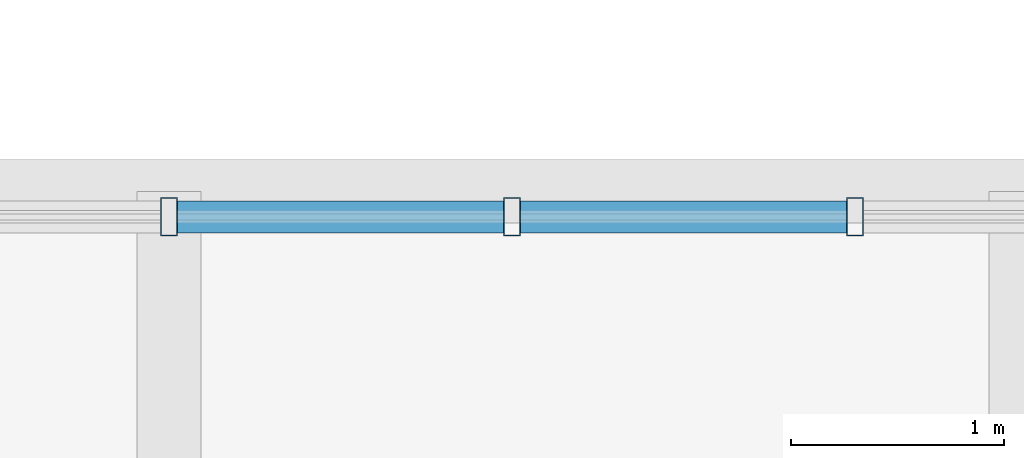
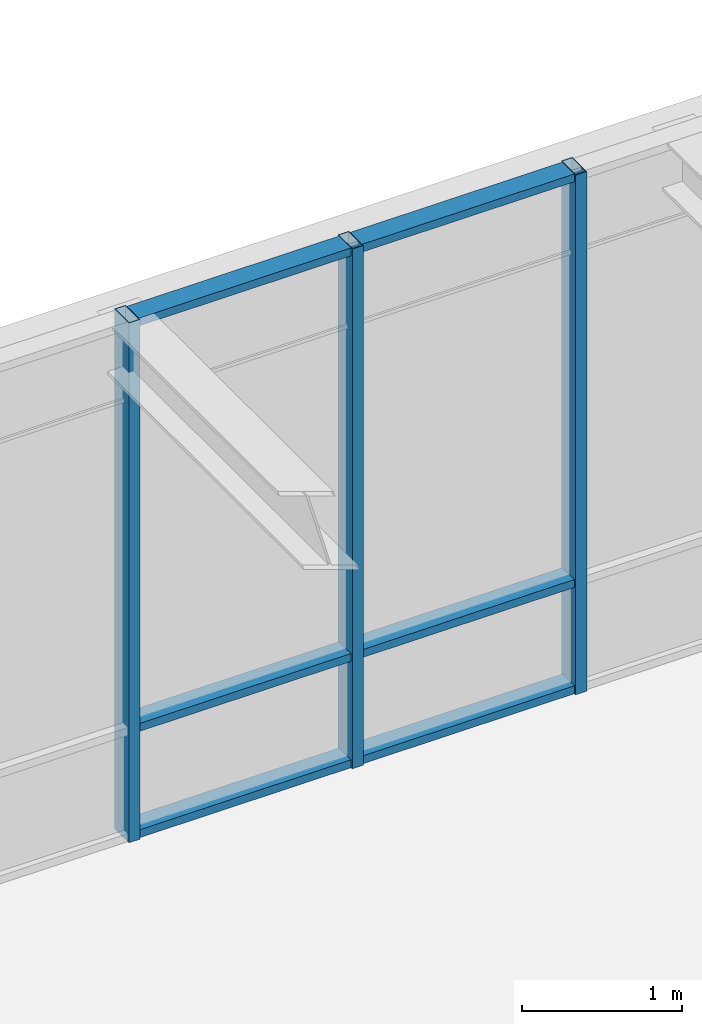
# One storey, part 58 of 127: 9 members, 1 element without a shape of its own.
"""IFC4 building model written with IfcOpenShell, lengths in metres."""

from ifc_helpers import new_model, si_unit, direction, frame, origin, origin_2d, place, context, subcontext, project, spatial, hollow_rectangle, extrude, material, layer, layer_set, material_profile, profile_set, type_object, element, aggregate, save


model = new_model("IFC4")

# Units and contexts
model_context = context("Model", 3, precision=1e-05, world=origin(), true_north=direction((0.0, 1.0)))
body_context = subcontext(model_context, "Body", "Model", "MODEL_VIEW")
ifc_project = project(units=[si_unit("LENGTHUNIT", "METRE"), si_unit("AREAUNIT", "SQUARE_METRE"), si_unit("VOLUMEUNIT", "CUBIC_METRE"), si_unit("PLANEANGLEUNIT", "RADIAN"), si_unit("MASSUNIT", "GRAM", prefix="KILO")], contexts=[model_context])

# Site, building, storey
site_placement = place(None, origin())
site = spatial("IfcSite", under=ifc_project, at=site_placement, CompositionType="ELEMENT")
building_placement = place(site_placement, origin())
building = spatial("IfcBuilding", under=site, at=building_placement, Name="Zayran Congress Hotel", CompositionType="ELEMENT")
storey_placement = place(building_placement, frame((0.0, 0.0, 10.800048828125)))
storey = spatial("IfcBuildingStorey", under=building, at=storey_placement, Name="L02", CompositionType="ELEMENT", Elevation=10.800048828125)

# Curtain wall, members
ifc_material_1 = material(Name="Anodised aluminium and low-E insulated glass", Category="aluminium")
ifc_layer = layer(ifc_material_1, 0.179931640625)
ifc_layer_set = layer_set([ifc_layer], Name="Anodised aluminium and low-E insulated glass")
curtain_wall_type = type_object("IfcCurtainWallType", Name="CW-BR1-L02-CW-BR1-16100-3960", PredefinedType="USERDEFINED", material=ifc_layer_set)
curtain_wall_placement = place(storey_placement, origin())
curtain_wall = element("IfcCurtainWall", 1, at=curtain_wall_placement, inside=storey, type_object=curtain_wall_type, Name="CW-BR1N-L02", ObjectType="CURTAIN WALL", PredefinedType="USERDEFINED")
ifc_material_2 = material(Name="Anodised aluminium framing", Category="aluminium")
ifc_material_profile_1 = material_profile(ifc_material_2, hollow_rectangle(XDim=0.080078125, YDim=0.179931640625, WallThickness=0.0048828125, at=origin_2d()), Name="RHS 180x80x5")
ifc_profile_set_1 = profile_set([ifc_material_profile_1], Name="Anodised aluminium framing")
member_type_1 = type_object("IfcMemberType", Name="TP-CWM-01", PredefinedType="MULLION", material=ifc_profile_set_1)
member_1_placement = place(storey_placement, frame((104.02001953125, 84.280029296875, 0.0), z_axis=(0.0, 0.0, 1.0), x_axis=(1.0, 0.0, 0.0)))
member_1 = element("IfcMember", 2, at=member_1_placement, type_object=member_type_1, Name="CW-BR1N-L02-M03", PredefinedType="MULLION", context=body_context, shape_type="SweptSolid", body=[
    extrude(hollow_rectangle(XDim=0.080078125, YDim=0.179931640625, WallThickness=0.0048828125, at=origin_2d()), origin(), (0.0, 0.0, 1.0), 3.9599609375),
])
member_2_placement = place(storey_placement, frame((102.409912109375, 84.280029296875, 0.0), z_axis=(0.0, 0.0, 1.0), x_axis=(1.0, 0.0, 0.0)))
member_2 = element("IfcMember", 3, at=member_2_placement, type_object=member_type_1, Name="CW-BR1N-L02-M04", PredefinedType="MULLION", context=body_context, shape_type="SweptSolid", body=[
    extrude(hollow_rectangle(XDim=0.080078125, YDim=0.179931640625, WallThickness=0.0048828125, at=origin_2d()), origin(), (0.0, 0.0, 1.0), 3.9599609375),
])
member_3_placement = place(storey_placement, frame((100.800048828125, 84.280029296875, 0.0), z_axis=(0.0, 0.0, 1.0), x_axis=(1.0, 0.0, 0.0)))
member_3 = element("IfcMember", 4, at=member_3_placement, type_object=member_type_1, Name="CW-BR1N-L02-M05", PredefinedType="MULLION", context=body_context, shape_type="SweptSolid", body=[
    extrude(hollow_rectangle(XDim=0.080078125, YDim=0.179931640625, WallThickness=0.0048828125, at=origin_2d()), origin(), (0.0, 0.0, 1.0), 3.9599609375),
])
ifc_material_profile_2 = material_profile(ifc_material_2, hollow_rectangle(XDim=0.06005859375, YDim=0.14990234375, WallThickness=0.00390625, at=origin_2d()), Name="RHS 150x60x4")
ifc_profile_set_2 = profile_set([ifc_material_profile_2], Name="Anodised aluminium framing")
member_type_2 = type_object("IfcMemberType", Name="TP-CWT-01", PredefinedType="USERDEFINED", material=ifc_profile_set_2)
member_4_placement = place(storey_placement, frame((103.97998046875, 84.280029296875, 0.030029296875), z_axis=(-1.0, 0.0, 0.0), x_axis=(0.0, 0.0, 1.0)))
member_4 = element("IfcMember", 5, at=member_4_placement, type_object=member_type_2, Name="CW-BR1N-L02-T03-0", ObjectType="TRANSOM", PredefinedType="USERDEFINED", context=body_context, shape_type="SweptSolid", body=[
    extrude(hollow_rectangle(XDim=0.06005859375, YDim=0.14990234375, WallThickness=0.00390625, at=origin_2d()), origin(), (0.0, 0.0, 1.0), 1.530029296875),
])
member_5_placement = place(storey_placement, frame((103.97998046875, 84.280029296875, 0.83984375), z_axis=(-1.0, 0.0, 0.0), x_axis=(0.0, 0.0, 1.0)))
member_5 = element("IfcMember", 6, at=member_5_placement, type_object=member_type_2, Name="CW-BR1N-L02-T03-1", ObjectType="TRANSOM", PredefinedType="USERDEFINED", context=body_context, shape_type="SweptSolid", body=[
    extrude(hollow_rectangle(XDim=0.06005859375, YDim=0.14990234375, WallThickness=0.00390625, at=origin_2d()), origin(), (0.0, 0.0, 1.0), 1.530029296875),
])
member_6_placement = place(storey_placement, frame((103.97998046875, 84.280029296875, 3.929931640625), z_axis=(-1.0, 0.0, 0.0), x_axis=(0.0, 0.0, 1.0)))
member_6 = element("IfcMember", 7, at=member_6_placement, type_object=member_type_2, Name="CW-BR1N-L02-T03-2", ObjectType="TRANSOM", PredefinedType="USERDEFINED", context=body_context, shape_type="SweptSolid", body=[
    extrude(hollow_rectangle(XDim=0.06005859375, YDim=0.14990234375, WallThickness=0.00390625, at=origin_2d()), origin(), (0.0, 0.0, 1.0), 1.530029296875),
])
member_7_placement = place(storey_placement, frame((102.3701171875, 84.280029296875, 0.030029296875), z_axis=(-1.0, 0.0, 0.0), x_axis=(0.0, 0.0, 1.0)))
member_7 = element("IfcMember", 8, at=member_7_placement, type_object=member_type_2, Name="CW-BR1N-L02-T04-0", ObjectType="TRANSOM", PredefinedType="USERDEFINED", context=body_context, shape_type="SweptSolid", body=[
    extrude(hollow_rectangle(XDim=0.06005859375, YDim=0.14990234375, WallThickness=0.00390625, at=origin_2d()), origin(), (0.0, 0.0, 1.0), 1.530029296875),
])
member_8_placement = place(storey_placement, frame((102.3701171875, 84.280029296875, 0.83984375), z_axis=(-1.0, 0.0, 0.0), x_axis=(0.0, 0.0, 1.0)))
member_8 = element("IfcMember", 9, at=member_8_placement, type_object=member_type_2, Name="CW-BR1N-L02-T04-1", ObjectType="TRANSOM", PredefinedType="USERDEFINED", context=body_context, shape_type="SweptSolid", body=[
    extrude(hollow_rectangle(XDim=0.06005859375, YDim=0.14990234375, WallThickness=0.00390625, at=origin_2d()), origin(), (0.0, 0.0, 1.0), 1.530029296875),
])
member_9_placement = place(storey_placement, frame((102.3701171875, 84.280029296875, 3.929931640625), z_axis=(-1.0, 0.0, 0.0), x_axis=(0.0, 0.0, 1.0)))
member_9 = element("IfcMember", 10, at=member_9_placement, type_object=member_type_2, Name="CW-BR1N-L02-T04-2", ObjectType="TRANSOM", PredefinedType="USERDEFINED", context=body_context, shape_type="SweptSolid", body=[
    extrude(hollow_rectangle(XDim=0.06005859375, YDim=0.14990234375, WallThickness=0.00390625, at=origin_2d()), origin(), (0.0, 0.0, 1.0), 1.530029296875),
])
aggregate(curtain_wall, [member_1, member_2, member_3, member_4, member_5, member_6, member_7, member_8, member_9])

save(model, "model.ifc")
